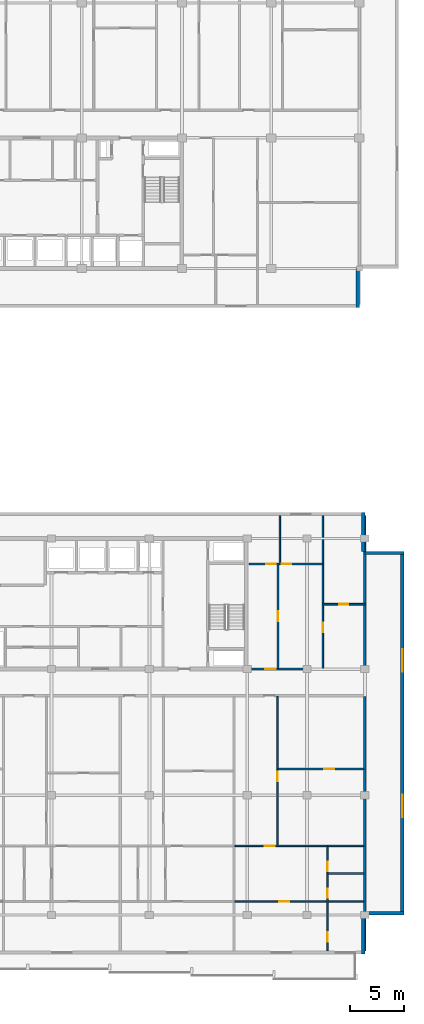
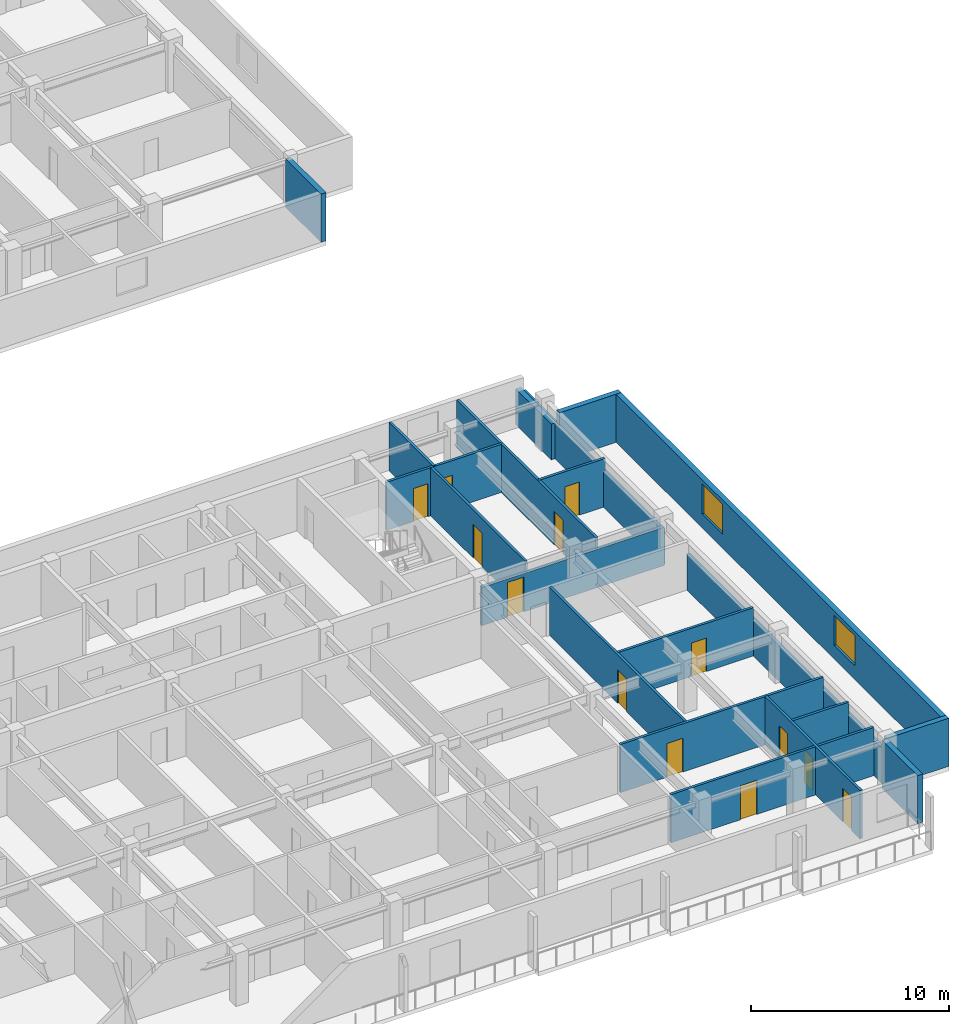
# One storey, part 9 of 21: 20 walls, 13 doors, 2 windows, 15 openings.
"""IFC4 building model written with IfcOpenShell, lengths in metres."""

from ifc_helpers import new_model, si_unit, direction, frame, frame_2d, origin, place, context, subcontext, project, spatial, rectangle, extrude, material, layer, layer_set, type_object, element, fill, save


model = new_model("IFC4")

# Units and contexts
model_context = context("Model", 3, precision=1e-05, world=origin(), true_north=direction((0.0, 1.0)))
body_context = subcontext(model_context, "Body", "Model", "MODEL_VIEW")
ifc_project = project(units=[si_unit("LENGTHUNIT", "METRE"), si_unit("AREAUNIT", "SQUARE_METRE"), si_unit("VOLUMEUNIT", "CUBIC_METRE"), si_unit("PLANEANGLEUNIT", "RADIAN"), si_unit("MASSUNIT", "GRAM", prefix="KILO")], contexts=[model_context])

# Site, building, storey
site_placement = place(None, origin())
site = spatial("IfcSite", under=ifc_project, at=site_placement, CompositionType="ELEMENT")
building_placement = place(site_placement, origin())
building = spatial("IfcBuilding", under=site, at=building_placement, Name="Korimba Cascade Residences", CompositionType="ELEMENT")
storey_placement = place(building_placement, frame((0.0, 0.0, 171.85009765625)))
storey = spatial("IfcBuildingStorey", under=building, at=storey_placement, Name="L49", CompositionType="ELEMENT", Elevation=171.85009765625)

# Walls
ifc_material_1 = material(Name="Precast concrete C40/50", Category="concrete")
ifc_layer_1 = layer(ifc_material_1, 0.300048828125)
ifc_layer_set_1 = layer_set([ifc_layer_1], Name="Precast concrete C40/50")
wall_type_1 = type_object("IfcWallType", Name="EW-STONE-300", PredefinedType="STANDARD", material=ifc_layer_set_1)
wall_1_placement = place(storey_placement, frame((128.25, 51.60009765625, 0.0), z_axis=(0.0, 0.0, 1.0), x_axis=(0.0, 1.0, 0.0)))
element("IfcWall", 1, at=wall_1_placement, inside=storey, type_object=wall_type_1, Name="L49 T1 Perimeter Stone Wall E01", PredefinedType="STANDARD", context=body_context, shape_type="SweptSolid", body=[
    extrude(rectangle(XDim=3.599853515625, YDim=0.300048828125, at=frame_2d((1.7998046875, 0.0))), origin(), (0.0, 0.0, 1.0), 2.969970703125),
])
for number, where, z_axis, x_axis, name in (
    (2, (128.75, -7.800048828125, 0.0), (0.0, 0.0, 1.0), (0.0, 1.0, 0.0), "L49 T2 Perimeter Stone Wall E01"),
    (3, (128.89990234375, -4.050048828125, 0.0), (0.0, 0.0, 1.0), (1.0, 0.0, 0.0), "L49 T2 Perimeter Stone Wall E02"),
):
    element("IfcWall", number, at=place(storey_placement, frame(where, z_axis=z_axis, x_axis=x_axis)), inside=storey, type_object=wall_type_1, Name=name, PredefinedType="STANDARD", context=body_context, shape_type="SweptSolid", body=[
        extrude(rectangle(XDim=3.60009765625, YDim=0.300048828125, at=frame_2d((1.800048828125, 0.0))), origin(), (0.0, 0.0, 1.0), 2.969970703125),
    ])

# Wall, openings, windows
wall_2_placement = place(storey_placement, frame((132.35009765625, -4.199951171875, 0.0), z_axis=(0.0, 0.0, 1.0), x_axis=(0.0, 1.0, 0.0)))
wall_2 = element("IfcWall", 4, at=wall_2_placement, inside=storey, type_object=wall_type_1, Name="L49 T2 Perimeter Stone Wall E03", PredefinedType="STANDARD", context=body_context, shape_type="SweptSolid", body=[
    extrude(rectangle(XDim=33.39990234375, YDim=0.300048828125, at=frame_2d((16.699951171875, 0.0))), origin(), (0.0, 0.0, 1.0), 2.969970703125),
])
opening_1_placement = place(wall_2_placement, frame((8.969970703125, 0.0, 0.85009765625)))
opening_1 = element("IfcOpeningElement", 5, at=opening_1_placement, cuts=wall_2, Name="Opening W-03", PredefinedType="OPENING", context=body_context, shape_type="SweptSolid", body=[
    extrude(rectangle(XDim=2.10009765625, YDim=1.85009765625, at=frame_2d((1.050048828125, 0.925048828125))), frame((0.0, 0.16015625, 0.0), z_axis=(0.0, -1.0, 0.0), x_axis=(1.0, 0.0, 0.0)), (0.0, 0.0, 1.0), 0.320068359375),
])
opening_2_placement = place(wall_2_placement, frame((22.330078125, 0.0, 0.85009765625)))
opening_2 = element("IfcOpeningElement", 6, at=opening_2_placement, cuts=wall_2, Name="Opening W-03", PredefinedType="OPENING", context=body_context, shape_type="SweptSolid", body=[
    extrude(rectangle(XDim=2.10009765625, YDim=1.85009765625, at=frame_2d((1.050048828125, 0.925048828125))), frame((0.0, 0.16015625, 0.0), z_axis=(0.0, -1.0, 0.0), x_axis=(1.0, 0.0, 0.0)), (0.0, 0.0, 1.0), 0.320068359375),
])
ifc_material_2 = material(Name="Double-Glazed Aluminium Window", Category="aluminium")
window_type = type_object("IfcWindowType", Name="WIN-CRN-2100", PartitioningType="DOUBLE_PANEL_HORIZONTAL", PredefinedType="WINDOW", material=ifc_material_2)
window_1_placement = place(opening_1_placement, origin())
window_1 = element("IfcWindow", 7, at=window_1_placement, inside=storey, type_object=window_type, Name="L49 T2 End View Window 3.1", OverallHeight=1.85009765625, OverallWidth=2.10009765625, PartitioningType="DOUBLE_PANEL_HORIZONTAL", PredefinedType="WINDOW", context=body_context, shape_type="SweptSolid", body=[
    extrude(rectangle(XDim=2.10009765625, YDim=1.85009765625, at=frame_2d((1.050048828125, 0.925048828125))), frame((0.0, 0.030029296875, 0.0), z_axis=(0.0, -1.0, 0.0), x_axis=(1.0, 0.0, 0.0)), (0.0, 0.0, 1.0), 0.06005859375),
])
fill(opening_1, window_1)
window_2_placement = place(opening_2_placement, origin())
window_2 = element("IfcWindow", 8, at=window_2_placement, inside=storey, type_object=window_type, Name="L49 T2 End View Window 3.2", OverallHeight=1.85009765625, OverallWidth=2.10009765625, PartitioningType="DOUBLE_PANEL_HORIZONTAL", PredefinedType="WINDOW", context=body_context, shape_type="SweptSolid", body=[
    extrude(rectangle(XDim=2.10009765625, YDim=1.85009765625, at=frame_2d((1.050048828125, 0.925048828125))), frame((0.0, 0.030029296875, 0.0), z_axis=(0.0, -1.0, 0.0), x_axis=(1.0, 0.0, 0.0)), (0.0, 0.0, 1.0), 0.06005859375),
])
fill(opening_2, window_2)

# Walls
wall_3_placement = place(storey_placement, frame((132.5, 29.050048828125, 0.0), z_axis=(0.0, 0.0, 1.0), x_axis=(-1.0, 0.0, 0.0)))
element("IfcWall", 9, at=wall_3_placement, inside=storey, type_object=wall_type_1, Name="L49 T2 Perimeter Stone Wall E04", PredefinedType="STANDARD", context=body_context, shape_type="SweptSolid", body=[
    extrude(rectangle(XDim=3.60009765625, YDim=0.300048828125, at=frame_2d((1.800048828125, 0.0))), origin(), (0.0, 0.0, 1.0), 2.969970703125),
])
wall_4_placement = place(storey_placement, frame((128.75, 29.199951171875, 0.0), z_axis=(0.0, 0.0, 1.0), x_axis=(0.0, 1.0, 0.0)))
element("IfcWall", 10, at=wall_4_placement, inside=storey, type_object=wall_type_1, Name="L49 T2 Perimeter Stone Wall E05", PredefinedType="STANDARD", context=body_context, shape_type="SweptSolid", body=[
    extrude(rectangle(XDim=3.60009765625, YDim=0.300048828125, at=frame_2d((1.800048828125, 0.0))), origin(), (0.0, 0.0, 1.0), 2.2001953125),
])
ifc_layer_2 = layer(ifc_material_1, 0.199951171875)
ifc_layer_set_2 = layer_set([ifc_layer_2], Name="Precast concrete C40/50")
wall_type_2 = type_object("IfcWallType", Name="WAL-IT-200", PredefinedType="PARTITIONING", material=ifc_layer_set_2)
wall_5_placement = place(storey_placement, frame((128.89990234375, 18.39990234375, 0.0), z_axis=(0.0, 0.0, 1.0), x_axis=(0.0, 1.0, 0.0)))
element("IfcWall", 11, at=wall_5_placement, inside=storey, type_object=wall_type_2, Name="L49 Partition Wall WAL-L49-T2-FE-WR", PredefinedType="PARTITIONING", context=body_context, shape_type="SweptSolid", body=[
    extrude(rectangle(XDim=14.10009765625, YDim=0.199951171875, at=frame_2d((7.050048828125, 0.0))), origin(), (0.0, 0.0, 1.0), 2.2001953125),
])

# Wall, opening, door
wall_6_placement = place(storey_placement, frame((118.25, 18.39990234375, 0.0), z_axis=(0.0, 0.0, 1.0), x_axis=(1.0, 0.0, 0.0)))
wall_6 = element("IfcWall", 12, at=wall_6_placement, inside=storey, type_object=wall_type_2, Name="L49 Partition Wall WAL-L49-T2-FE-S", PredefinedType="PARTITIONING", context=body_context, shape_type="SweptSolid", body=[
    extrude(rectangle(XDim=10.64990234375, YDim=0.199951171875, at=frame_2d((5.324951171875, 0.0))), origin(), (0.0, 0.0, 1.0), 2.357666015625),
])
opening_3_placement = place(wall_6_placement, frame((1.510009765625, 0.0, 0.0)))
opening_3 = element("IfcOpeningElement", 13, at=opening_3_placement, cuts=wall_6, Name="Opening D-UN1", PredefinedType="OPENING", context=body_context, shape_type="SweptSolid", body=[
    extrude(rectangle(XDim=0.949951171875, YDim=2.14990234375, at=frame_2d((0.47509765625, 1.074951171875))), frame((0.0, 0.10986328125, 0.0), z_axis=(0.0, -1.0, 0.0), x_axis=(1.0, 0.0, 0.0)), (0.0, 0.0, 1.0), 0.219970703125),
])
ifc_material_3 = material(Name="Fire-Rated Hardwood Apartment Entrance Door", Category="wood")
door_type_1 = type_object("IfcDoorType", Name="DR-FD60-950", OperationType="NOTDEFINED", PredefinedType="DOOR", material=ifc_material_3)
door_1_placement = place(opening_3_placement, origin())
door_1 = element("IfcDoor", 14, at=door_1_placement, inside=storey, type_object=door_type_1, Name="L49-T2-FE Entrance Door", OperationType="SINGLE_SWING_RIGHT", OverallHeight=2.14990234375, OverallWidth=0.949951171875, PredefinedType="DOOR", context=body_context, shape_type="SweptSolid", body=[
    extrude(rectangle(XDim=0.949951171875, YDim=2.14990234375, at=frame_2d((0.47509765625, 1.074951171875))), frame((0.0, 0.02490234375, 0.0), z_axis=(0.0, -1.0, 0.0), x_axis=(1.0, 0.0, 0.0)), (0.0, 0.0, 1.0), 0.050048828125),
])
fill(opening_3, door_1)

# Wall
wall_7_placement = place(storey_placement, frame((128.89990234375, -7.5, 0.0), z_axis=(0.0, 0.0, 1.0), x_axis=(0.0, 1.0, 0.0)))
element("IfcWall", 15, at=wall_7_placement, inside=storey, type_object=wall_type_2, Name="L49 Partition Wall WAL-L49-T2-BNDWR", PredefinedType="PARTITIONING", context=body_context, shape_type="SweptSolid", body=[
    extrude(rectangle(XDim=23.3701171875, YDim=0.199951171875, at=frame_2d((11.68505859375, 0.0))), origin(), (0.0, 0.0, 1.0), 2.2001953125),
])

# Wall, opening, door
ifc_material_4 = material(Name="Insulated Acoustic Stud Partition", Category="gypsum")
ifc_layer_3 = layer(ifc_material_4, 0.14990234375)
ifc_layer_set_3 = layer_set([ifc_layer_3], Name="Insulated Acoustic Stud Partition")
wall_type_3 = type_object("IfcWallType", Name="WAL-PART-150", PredefinedType="PARTITIONING", material=ifc_layer_set_3)
wall_8_placement = place(storey_placement, frame((125.050048828125, 24.35009765625, 0.0), z_axis=(0.0, 0.0, 1.0), x_axis=(1.0, 0.0, 0.0)))
wall_8 = element("IfcWall", 16, at=wall_8_placement, inside=storey, type_object=wall_type_3, Name="L49 Partition Wall WAL-L49-T2-FE-STH", PredefinedType="PARTITIONING", context=body_context, shape_type="SweptSolid", body=[
    extrude(rectangle(XDim=3.849853515625, YDim=0.14990234375, at=frame_2d((1.9248046875, 0.0))), origin(), (0.0, 0.0, 1.0), 2.969970703125),
])
opening_4_placement = place(wall_8_placement, frame((1.5048828125, 0.0, 0.0)))
opening_4 = element("IfcOpeningElement", 17, at=opening_4_placement, cuts=wall_8, Name="Opening D-BT1", PredefinedType="OPENING", context=body_context, shape_type="SweptSolid", body=[
    extrude(rectangle(XDim=0.840087890625, YDim=2.0400390625, at=frame_2d((0.419921875, 1.02001953125))), frame((0.0, 0.0849609375, 0.0), z_axis=(0.0, -1.0, 0.0), x_axis=(1.0, 0.0, 0.0)), (0.0, 0.0, 1.0), 0.169921875),
])
ifc_material_5 = material(Name="Moisture-Resistant Bathroom Timber Door", Category="wood")
door_type_2 = type_object("IfcDoorType", Name="DR-INT-850", OperationType="NOTDEFINED", PredefinedType="DOOR", material=ifc_material_5)
door_2_placement = place(opening_4_placement, origin())
door_2 = element("IfcDoor", 18, at=door_2_placement, inside=storey, type_object=door_type_2, Name="L49-T2-FE Dressing Store Door", OperationType="SINGLE_SWING_LEFT", OverallHeight=2.0400390625, OverallWidth=0.840087890625, PredefinedType="DOOR", context=body_context, shape_type="SweptSolid", body=[
    extrude(rectangle(XDim=0.840087890625, YDim=2.0400390625, at=frame_2d((0.419921875, 1.02001953125))), frame((0.0, 0.02490234375, 0.0), z_axis=(0.0, -1.0, 0.0), x_axis=(1.0, 0.0, 0.0)), (0.0, 0.0, 1.0), 0.050048828125),
])
fill(opening_4, door_2)

wall_9_placement = place(storey_placement, frame((125.050048828125, 18.449951171875, 0.0), z_axis=(0.0, 0.0, 1.0), x_axis=(0.0, 1.0, 0.0)))
wall_9 = element("IfcWall", 19, at=wall_9_placement, inside=storey, type_object=wall_type_3, Name="L49 Partition Wall WAL-L49-T2-FE-STV", PredefinedType="PARTITIONING", context=body_context, shape_type="SweptSolid", body=[
    extrude(rectangle(XDim=14.050048828125, YDim=0.14990234375, at=frame_2d((7.02490234375, 0.0))), origin(), (0.0, 0.0, 1.0), 2.969970703125),
])
opening_5_placement = place(wall_9_placement, frame((3.320068359375, 0.0, 0.0)))
opening_5 = element("IfcOpeningElement", 20, at=opening_5_placement, cuts=wall_9, Name="Opening D-IN2", PredefinedType="OPENING", context=body_context, shape_type="SweptSolid", body=[
    extrude(rectangle(XDim=0.8798828125, YDim=2.06005859375, at=frame_2d((0.43994140625, 1.030029296875))), frame((0.0, 0.0849609375, 0.0), z_axis=(0.0, -1.0, 0.0), x_axis=(1.0, 0.0, 0.0)), (0.0, 0.0, 1.0), 0.169921875),
])
ifc_material_6 = material(Name="Acoustic Timber Bedroom Door", Category="wood")
door_type_3 = type_object("IfcDoorType", Name="DR-INT-880", OperationType="NOTDEFINED", PredefinedType="DOOR", material=ifc_material_6)
door_3_placement = place(opening_5_placement, origin())
door_3 = element("IfcDoor", 21, at=door_3_placement, inside=storey, type_object=door_type_3, Name="L49-T2-FE Study Door", OperationType="SINGLE_SWING_RIGHT", OverallHeight=2.06005859375, OverallWidth=0.8798828125, PredefinedType="DOOR", context=body_context, shape_type="SweptSolid", body=[
    extrude(rectangle(XDim=0.8798828125, YDim=2.06005859375, at=frame_2d((0.43994140625, 1.030029296875))), frame((0.0, 0.02490234375, 0.0), z_axis=(0.0, -1.0, 0.0), x_axis=(1.0, 0.0, 0.0)), (0.0, 0.0, 1.0), 0.050048828125),
])
fill(opening_5, door_3)

wall_10_placement = place(storey_placement, frame((120.929931640625, 18.449951171875, 0.0), z_axis=(0.0, 0.0, 1.0), x_axis=(0.0, 1.0, 0.0)))
wall_10 = element("IfcWall", 22, at=wall_10_placement, inside=storey, type_object=wall_type_3, Name="L49 Partition Wall WAL-L49-T2-FE-VS", PredefinedType="PARTITIONING", context=body_context, shape_type="SweptSolid", body=[
    extrude(rectangle(XDim=9.60009765625, YDim=0.14990234375, at=frame_2d((4.800048828125, 0.0))), origin(), (0.0, 0.0, 1.0), 2.969970703125),
])
opening_6_placement = place(wall_10_placement, frame((4.340087890625, 0.0, 0.0)))
opening_6 = element("IfcOpeningElement", 23, at=opening_6_placement, cuts=wall_10, Name="Opening D-IN1", PredefinedType="OPENING", context=body_context, shape_type="SweptSolid", body=[
    extrude(rectangle(XDim=0.919921875, YDim=2.080078125, at=frame_2d((0.4599609375, 1.0400390625))), frame((0.0, 0.0849609375, 0.0), z_axis=(0.0, -1.0, 0.0), x_axis=(1.0, 0.0, 0.0)), (0.0, 0.0, 1.0), 0.169921875),
])
ifc_material_7 = material(Name="Acoustic Timber Living Door", Category="wood")
door_type_4 = type_object("IfcDoorType", Name="DR-INT-920", OperationType="NOTDEFINED", PredefinedType="DOOR", material=ifc_material_7)
door_4_placement = place(opening_6_placement, origin())
door_4 = element("IfcDoor", 24, at=door_4_placement, inside=storey, type_object=door_type_4, Name="L49-T2-FE Living Door", OperationType="SINGLE_SWING_LEFT", OverallHeight=2.080078125, OverallWidth=0.919921875, PredefinedType="DOOR", context=body_context, shape_type="SweptSolid", body=[
    extrude(rectangle(XDim=0.919921875, YDim=2.080078125, at=frame_2d((0.4599609375, 1.0400390625))), frame((0.0, 0.02490234375, 0.0), z_axis=(0.0, -1.0, 0.0), x_axis=(1.0, 0.0, 0.0)), (0.0, 0.0, 1.0), 0.050048828125),
])
fill(opening_6, door_4)

# Wall
wall_11_placement = place(storey_placement, frame((121.10009765625, 28.050048828125, 0.0), z_axis=(0.0, 0.0, 1.0), x_axis=(0.0, 1.0, 0.0)))
element("IfcWall", 25, at=wall_11_placement, inside=storey, type_object=wall_type_3, Name="L49 Partition Wall WAL-L49-T2-FE-VN", PredefinedType="PARTITIONING", context=body_context, shape_type="SweptSolid", body=[
    extrude(rectangle(XDim=4.449951171875, YDim=0.14990234375, at=frame_2d((2.22509765625, 0.0))), origin(), (0.0, 0.0, 1.0), 2.969970703125),
])

# Wall, openings, doors
wall_12_placement = place(storey_placement, frame((118.27001953125, 28.050048828125, 0.0), z_axis=(0.0, 0.0, 1.0), x_axis=(1.0, 0.0, 0.0)))
wall_12 = element("IfcWall", 26, at=wall_12_placement, inside=storey, type_object=wall_type_3, Name="L49 Partition Wall WAL-L49-T2-FE-H", PredefinedType="PARTITIONING", context=body_context, shape_type="SweptSolid", body=[
    extrude(rectangle(XDim=6.760009765625, YDim=0.14990234375, at=frame_2d((3.3798828125, 0.0))), origin(), (0.0, 0.0, 1.0), 2.969970703125),
])
opening_7_placement = place(wall_12_placement, frame((1.58740234375, 0.0, 0.0)))
opening_7 = element("IfcOpeningElement", 27, at=opening_7_placement, cuts=wall_12, Name="Opening D-BT1", PredefinedType="OPENING", context=body_context, shape_type="SweptSolid", body=[
    extrude(rectangle(XDim=0.840087890625, YDim=2.0400390625, at=frame_2d((0.419921875, 1.02001953125))), frame((0.0, 0.0849609375, 0.0), z_axis=(0.0, -1.0, 0.0), x_axis=(1.0, 0.0, 0.0)), (0.0, 0.0, 1.0), 0.169921875),
])
opening_8_placement = place(wall_12_placement, frame((2.988037109375, 0.0, 0.0)))
opening_8 = element("IfcOpeningElement", 28, at=opening_8_placement, cuts=wall_12, Name="Opening D-IN2", PredefinedType="OPENING", context=body_context, shape_type="SweptSolid", body=[
    extrude(rectangle(XDim=0.8798828125, YDim=2.06005859375, at=frame_2d((0.43994140625, 1.030029296875))), frame((0.0, 0.0849609375, 0.0), z_axis=(0.0, -1.0, 0.0), x_axis=(1.0, 0.0, 0.0)), (0.0, 0.0, 1.0), 0.169921875),
])
door_5_placement = place(opening_7_placement, origin())
door_5 = element("IfcDoor", 29, at=door_5_placement, inside=storey, type_object=door_type_2, Name="L49-T2-FE Bathroom Door", OperationType="SINGLE_SWING_RIGHT", OverallHeight=2.0400390625, OverallWidth=0.840087890625, PredefinedType="DOOR", context=body_context, shape_type="SweptSolid", body=[
    extrude(rectangle(XDim=0.840087890625, YDim=2.0400390625, at=frame_2d((0.419921875, 1.02001953125))), frame((0.0, 0.02490234375, 0.0), z_axis=(0.0, -1.0, 0.0), x_axis=(1.0, 0.0, 0.0)), (0.0, 0.0, 1.0), 0.050048828125),
])
fill(opening_7, door_5)
door_6_placement = place(opening_8_placement, origin())
door_6 = element("IfcDoor", 30, at=door_6_placement, inside=storey, type_object=door_type_3, Name="L49-T2-FE Bedroom Door", OperationType="SINGLE_SWING_LEFT", OverallHeight=2.06005859375, OverallWidth=0.8798828125, PredefinedType="DOOR", context=body_context, shape_type="SweptSolid", body=[
    extrude(rectangle(XDim=0.8798828125, YDim=2.06005859375, at=frame_2d((0.43994140625, 1.030029296875))), frame((0.0, 0.02490234375, 0.0), z_axis=(0.0, -1.0, 0.0), x_axis=(1.0, 0.0, 0.0)), (0.0, 0.0, 1.0), 0.050048828125),
])
fill(opening_8, door_6)

# Wall, opening, door
wall_13_placement = place(storey_placement, frame((120.921875, 9.219970703125, 0.0), z_axis=(0.0, 0.0, 1.0), x_axis=(1.0, 0.0, 0.0)))
wall_13 = element("IfcWall", 31, at=wall_13_placement, inside=storey, type_object=wall_type_3, Name="L49 Partition Wall WAL-L49-T2-U05-FMH", PredefinedType="PARTITIONING", context=body_context, shape_type="SweptSolid", body=[
    extrude(rectangle(XDim=7.898193359375, YDim=0.14990234375, at=frame_2d((3.94921875, 0.0))), origin(), (0.0, 0.0, 1.0), 2.969970703125),
])
opening_9_placement = place(wall_13_placement, frame((4.267333984375, 0.0, 0.0)))
opening_9 = element("IfcOpeningElement", 32, at=opening_9_placement, cuts=wall_13, Name="Opening D-IN2", PredefinedType="OPENING", context=body_context, shape_type="SweptSolid", body=[
    extrude(rectangle(XDim=0.8798828125, YDim=2.06005859375, at=frame_2d((0.43994140625, 1.030029296875))), frame((0.0, 0.0849609375, 0.0), z_axis=(0.0, -1.0, 0.0), x_axis=(1.0, 0.0, 0.0)), (0.0, 0.0, 1.0), 0.169921875),
])
door_7_placement = place(opening_9_placement, origin())
door_7 = element("IfcDoor", 33, at=door_7_placement, inside=storey, type_object=door_type_3, Name="L49-T2-U05 Library Salon Door", OperationType="SINGLE_SWING_LEFT", OverallHeight=2.06005859375, OverallWidth=0.8798828125, PredefinedType="DOOR", context=body_context, shape_type="SweptSolid", body=[
    extrude(rectangle(XDim=0.8798828125, YDim=2.06005859375, at=frame_2d((0.43994140625, 1.030029296875))), frame((0.0, 0.02490234375, 0.0), z_axis=(0.0, -1.0, 0.0), x_axis=(1.0, 0.0, 0.0)), (0.0, 0.0, 1.0), 0.050048828125),
])
fill(opening_9, door_7)

wall_14_placement = place(storey_placement, frame((120.86181640625, 2.18994140625, 0.0), z_axis=(0.0, 0.0, 1.0), x_axis=(0.0, 1.0, 0.0)))
wall_14 = element("IfcWall", 34, at=wall_14_placement, inside=storey, type_object=wall_type_3, Name="L49 Partition Wall WAL-L49-T2-U05-FV", PredefinedType="PARTITIONING", context=body_context, shape_type="SweptSolid", body=[
    extrude(rectangle(XDim=13.699951171875, YDim=0.14990234375, at=frame_2d((6.85009765625, 0.0))), origin(), (0.0, 0.0, 1.0), 2.969970703125),
])
opening_10_placement = place(wall_14_placement, frame((5.89990234375, 0.0, 0.0)))
opening_10 = element("IfcOpeningElement", 35, at=opening_10_placement, cuts=wall_14, Name="Opening D-IN2", PredefinedType="OPENING", context=body_context, shape_type="SweptSolid", body=[
    extrude(rectangle(XDim=0.8798828125, YDim=2.06005859375, at=frame_2d((0.43994140625, 1.030029296875))), frame((0.0, 0.0849609375, 0.0), z_axis=(0.0, -1.0, 0.0), x_axis=(1.0, 0.0, 0.0)), (0.0, 0.0, 1.0), 0.169921875),
])
door_8_placement = place(opening_10_placement, origin())
door_8 = element("IfcDoor", 36, at=door_8_placement, inside=storey, type_object=door_type_3, Name="L49-T2-U05 Media Lounge Door", OperationType="SINGLE_SWING_RIGHT", OverallHeight=2.06005859375, OverallWidth=0.8798828125, PredefinedType="DOOR", context=body_context, shape_type="SweptSolid", body=[
    extrude(rectangle(XDim=0.8798828125, YDim=2.06005859375, at=frame_2d((0.43994140625, 1.030029296875))), frame((0.0, 0.02490234375, 0.0), z_axis=(0.0, -1.0, 0.0), x_axis=(1.0, 0.0, 0.0)), (0.0, 0.0, 1.0), 0.050048828125),
])
fill(opening_10, door_8)

# Wall
wall_15_placement = place(storey_placement, frame((125.5400390625, -0.389892578125, 0.0), z_axis=(0.0, 0.0, 1.0), x_axis=(1.0, 0.0, 0.0)))
element("IfcWall", 37, at=wall_15_placement, inside=storey, type_object=wall_type_3, Name="L49 Partition Wall WAL-L49-T2-U05-BLDIV", PredefinedType="PARTITIONING", context=body_context, shape_type="SweptSolid", body=[
    extrude(rectangle(XDim=3.280029296875, YDim=0.14990234375, at=frame_2d((1.64013671875, 0.0))), origin(), (0.0, 0.0, 1.0), 2.969970703125),
])

# Wall, openings, doors
wall_16_placement = place(storey_placement, frame((125.47998046875, -7.5, 0.0), z_axis=(0.0, 0.0, 1.0), x_axis=(0.0, 1.0, 0.0)))
wall_16 = element("IfcWall", 38, at=wall_16_placement, inside=storey, type_object=wall_type_3, Name="L49 Partition Wall WAL-L49-T2-U05-V1", PredefinedType="PARTITIONING", context=body_context, shape_type="SweptSolid", body=[
    extrude(rectangle(XDim=9.610107421875, YDim=0.14990234375, at=frame_2d((4.80517578125, 0.0))), origin(), (0.0, 0.0, 1.0), 2.969970703125),
])
opening_11_placement = place(wall_16_placement, frame((4.874755859375, 0.0, 0.0)))
opening_11 = element("IfcOpeningElement", 39, at=opening_11_placement, cuts=wall_16, Name="Opening D-BT1", PredefinedType="OPENING", context=body_context, shape_type="SweptSolid", body=[
    extrude(rectangle(XDim=0.840087890625, YDim=2.0400390625, at=frame_2d((0.419921875, 1.02001953125))), frame((0.0, 0.0849609375, 0.0), z_axis=(0.0, -1.0, 0.0), x_axis=(1.0, 0.0, 0.0)), (0.0, 0.0, 1.0), 0.169921875),
])
opening_12_placement = place(wall_16_placement, frame((7.339599609375, 0.0, 0.0)))
opening_12 = element("IfcOpeningElement", 40, at=opening_12_placement, cuts=wall_16, Name="Opening D-BT1", PredefinedType="OPENING", context=body_context, shape_type="SweptSolid", body=[
    extrude(rectangle(XDim=0.840087890625, YDim=2.0400390625, at=frame_2d((0.419921875, 1.02001953125))), frame((0.0, 0.0849609375, 0.0), z_axis=(0.0, -1.0, 0.0), x_axis=(1.0, 0.0, 0.0)), (0.0, 0.0, 1.0), 0.169921875),
])
opening_13_placement = place(wall_16_placement, frame((0.859130859375, 0.0, 0.0)))
opening_13 = element("IfcOpeningElement", 41, at=opening_13_placement, cuts=wall_16, Name="Opening D-IN2", PredefinedType="OPENING", context=body_context, shape_type="SweptSolid", body=[
    extrude(rectangle(XDim=0.8798828125, YDim=2.06005859375, at=frame_2d((0.43994140625, 1.030029296875))), frame((0.0, 0.0849609375, 0.0), z_axis=(0.0, -1.0, 0.0), x_axis=(1.0, 0.0, 0.0)), (0.0, 0.0, 1.0), 0.169921875),
])
door_9_placement = place(opening_11_placement, origin())
door_9 = element("IfcDoor", 42, at=door_9_placement, inside=storey, type_object=door_type_2, Name="L49-T2-U05 Bathroom Door", OperationType="SINGLE_SWING_LEFT", OverallHeight=2.0400390625, OverallWidth=0.840087890625, PredefinedType="DOOR", context=body_context, shape_type="SweptSolid", body=[
    extrude(rectangle(XDim=0.840087890625, YDim=2.0400390625, at=frame_2d((0.419921875, 1.02001953125))), frame((0.0, 0.02490234375, 0.0), z_axis=(0.0, -1.0, 0.0), x_axis=(1.0, 0.0, 0.0)), (0.0, 0.0, 1.0), 0.050048828125),
])
fill(opening_11, door_9)
door_10_placement = place(opening_12_placement, origin())
door_10 = element("IfcDoor", 43, at=door_10_placement, inside=storey, type_object=door_type_2, Name="L49-T2-U05 Laundry Door", OperationType="SINGLE_SWING_RIGHT", OverallHeight=2.0400390625, OverallWidth=0.840087890625, PredefinedType="DOOR", context=body_context, shape_type="SweptSolid", body=[
    extrude(rectangle(XDim=0.840087890625, YDim=2.0400390625, at=frame_2d((0.419921875, 1.02001953125))), frame((0.0, 0.02490234375, 0.0), z_axis=(0.0, -1.0, 0.0), x_axis=(1.0, 0.0, 0.0)), (0.0, 0.0, 1.0), 0.050048828125),
])
fill(opening_12, door_10)
door_11_placement = place(opening_13_placement, origin())
door_11 = element("IfcDoor", 44, at=door_11_placement, inside=storey, type_object=door_type_3, Name="L49-T2-U05 Bedroom 1 Door", OperationType="SINGLE_SWING_LEFT", OverallHeight=2.06005859375, OverallWidth=0.8798828125, PredefinedType="DOOR", context=body_context, shape_type="SweptSolid", body=[
    extrude(rectangle(XDim=0.8798828125, YDim=2.06005859375, at=frame_2d((0.43994140625, 1.030029296875))), frame((0.0, 0.02490234375, 0.0), z_axis=(0.0, -1.0, 0.0), x_axis=(1.0, 0.0, 0.0)), (0.0, 0.0, 1.0), 0.050048828125),
])
fill(opening_13, door_11)

# Wall, opening, door
wall_17_placement = place(storey_placement, frame((116.9716796875, 2.14990234375, 0.0), z_axis=(0.0, 0.0, 1.0), x_axis=(1.0, 0.0, 0.0)))
wall_17 = element("IfcWall", 45, at=wall_17_placement, inside=storey, type_object=wall_type_3, Name="L49 Partition Wall WAL-L49-T2-U05-MW", PredefinedType="PARTITIONING", context=body_context, shape_type="SweptSolid", body=[
    extrude(rectangle(XDim=11.848388671875, YDim=0.14990234375, at=frame_2d((5.92431640625, 0.0))), origin(), (0.0, 0.0, 1.0), 2.969970703125),
])
opening_14_placement = place(wall_17_placement, frame((2.719970703125, 0.0, 0.0)))
opening_14 = element("IfcOpeningElement", 46, at=opening_14_placement, cuts=wall_17, Name="Opening D-IN1", PredefinedType="OPENING", context=body_context, shape_type="SweptSolid", body=[
    extrude(rectangle(XDim=0.919921875, YDim=2.080078125, at=frame_2d((0.4599609375, 1.0400390625))), frame((0.0, 0.0849609375, 0.0), z_axis=(0.0, -1.0, 0.0), x_axis=(1.0, 0.0, 0.0)), (0.0, 0.0, 1.0), 0.169921875),
])
door_12_placement = place(opening_14_placement, origin())
door_12 = element("IfcDoor", 47, at=door_12_placement, inside=storey, type_object=door_type_4, Name="L49-T2-U05 Kitchen Archway Door", OperationType="SINGLE_SWING_RIGHT", OverallHeight=2.080078125, OverallWidth=0.919921875, PredefinedType="DOOR", context=body_context, shape_type="SweptSolid", body=[
    extrude(rectangle(XDim=0.919921875, YDim=2.080078125, at=frame_2d((0.4599609375, 1.0400390625))), frame((0.0, 0.02490234375, 0.0), z_axis=(0.0, -1.0, 0.0), x_axis=(1.0, 0.0, 0.0)), (0.0, 0.0, 1.0), 0.050048828125),
])
fill(opening_14, door_12)

wall_18_placement = place(storey_placement, frame((116.9716796875, -2.949951171875, 0.0), z_axis=(0.0, 0.0, 1.0), x_axis=(1.0, 0.0, 0.0)))
wall_18 = element("IfcWall", 48, at=wall_18_placement, inside=storey, type_object=wall_type_3, Name="L49 Partition Wall WAL-L49-T2-U05-HZ", PredefinedType="PARTITIONING", context=body_context, shape_type="SweptSolid", body=[
    extrude(rectangle(XDim=11.848388671875, YDim=0.14990234375, at=frame_2d((5.92431640625, 0.0))), origin(), (0.0, 0.0, 1.0), 2.969970703125),
])
opening_15_placement = place(wall_18_placement, frame((4.06689453125, 0.0, 0.0)))
opening_15 = element("IfcOpeningElement", 49, at=opening_15_placement, cuts=wall_18, Name="Opening D-IN0", PredefinedType="OPENING", context=body_context, shape_type="SweptSolid", body=[
    extrude(rectangle(XDim=0.93994140625, YDim=2.10009765625, at=frame_2d((0.469970703125, 1.050048828125))), frame((0.0, 0.0849609375, 0.0), z_axis=(0.0, -1.0, 0.0), x_axis=(1.0, 0.0, 0.0)), (0.0, 0.0, 1.0), 0.169921875),
])
ifc_material_8 = material(Name="Acoustic Timber Living Archway Door", Category="wood")
door_type_5 = type_object("IfcDoorType", Name="DR-INT-950", OperationType="NOTDEFINED", PredefinedType="DOOR", material=ifc_material_8)
door_13_placement = place(opening_15_placement, origin())
door_13 = element("IfcDoor", 50, at=door_13_placement, inside=storey, type_object=door_type_5, Name="L49-T2-U05 Living Archway Door", OperationType="SINGLE_SWING_LEFT", OverallHeight=2.10009765625, OverallWidth=0.93994140625, PredefinedType="DOOR", context=body_context, shape_type="SweptSolid", body=[
    extrude(rectangle(XDim=0.93994140625, YDim=2.10009765625, at=frame_2d((0.469970703125, 1.050048828125))), frame((0.0, 0.02490234375, 0.0), z_axis=(0.0, -1.0, 0.0), x_axis=(1.0, 0.0, 0.0)), (0.0, 0.0, 1.0), 0.050048828125),
])
fill(opening_15, door_13)

save(model, "model.ifc")
